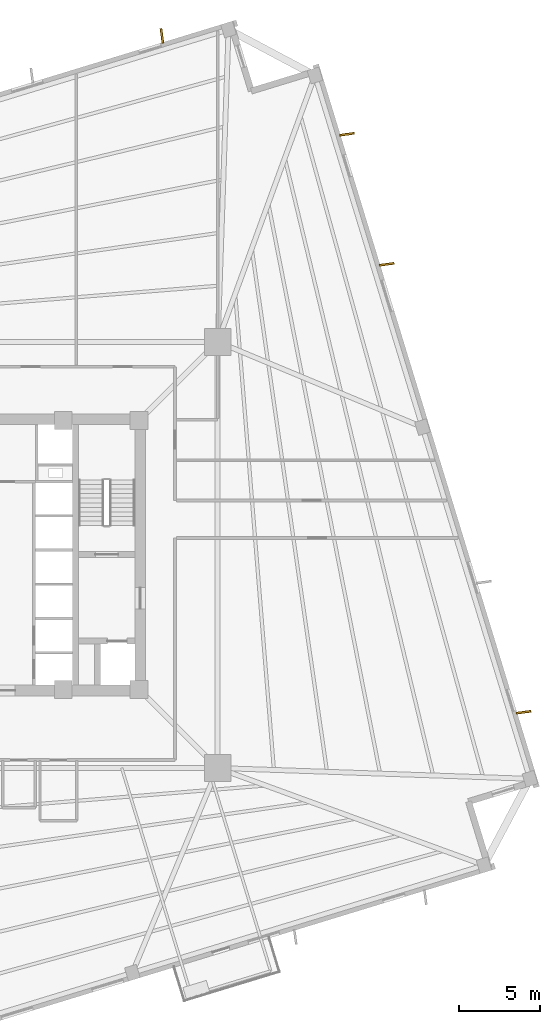
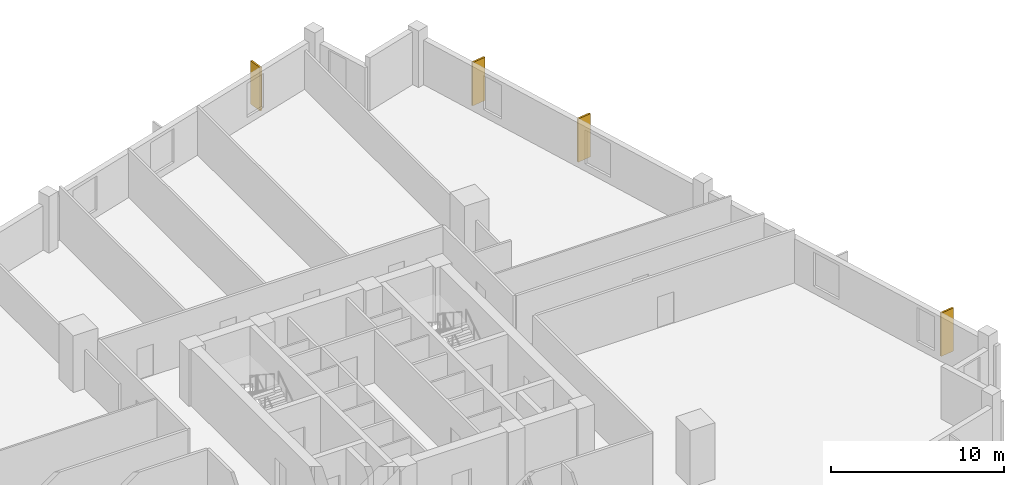
# One storey, part 8 of 8: 4 coverings.
"""IFC4 building model written with IfcOpenShell, lengths in metres."""

from ifc_helpers import new_model, si_unit, direction, frame, origin, origin_2d, place, context, subcontext, project, spatial, rectangle, extrude, source, transform, mapped, material, layer, layer_set, type_object, element, save


model = new_model("IFC4")

# Units and contexts
model_context = context("Model", 3, precision=1e-05, world=origin(), true_north=direction((0.0, 1.0)))
body_context = subcontext(model_context, "Body", "Model", "MODEL_VIEW")
ifc_project = project(units=[si_unit("LENGTHUNIT", "METRE"), si_unit("AREAUNIT", "SQUARE_METRE"), si_unit("VOLUMEUNIT", "CUBIC_METRE"), si_unit("PLANEANGLEUNIT", "RADIAN"), si_unit("MASSUNIT", "GRAM", prefix="KILO"), si_unit("THERMODYNAMICTEMPERATUREUNIT", "KELVIN")], contexts=[model_context])

# Site, building, storey
site_placement = place(None, origin())
site = spatial("IfcSite", under=ifc_project, at=site_placement, CompositionType="ELEMENT")
building_placement = place(site_placement, origin())
building = spatial("IfcBuilding", under=site, at=building_placement, Name="Kosmvard Interchange Tower", CompositionType="ELEMENT")
storey_placement = place(building_placement, frame((0.0, 0.0, 87.199951171875)))
storey = spatial("IfcBuildingStorey", under=building, at=storey_placement, Name="L20", CompositionType="ELEMENT", Elevation=87.199951171875)

# Coverings
ifc_material = material(Name="Architectural anodised aluminium", Category="aluminium")
ifc_layer = layer(ifc_material, 0.1201171875, Name="Architectural anodised aluminium")
ifc_layer_set = layer_set([ifc_layer], Name="Architectural anodised aluminium")
covering_type = type_object("IfcCoveringType", Name="Rotating Vertical Sun-Breaker Fin 900x120 Aluminium", PredefinedType="CLADDING", material=ifc_layer_set)
shared_shape = source(origin(), body_context, "Body", "SweptSolid", [
    extrude(rectangle(XDim=0.89990234375, YDim=0.1201171875, at=origin_2d()), origin(), (0.0, 0.0, 1.0), 3.06005859375),
])
for number, where, z_axis, x_axis, name in (
    (1, (31.865966796875, -9.6572265625, 0.0400390625), (0.0, 0.0, 1.0), (0.990842346368, 0.135023866942, 0.0), "L20 Rotating Vertical Sun-Breaker Fin 05"),
    (2, (23.45849609375, 17.841796875, 0.0400390625), (0.0, 0.0, 1.0), (0.990842346368, 0.135023866942, 0.0), "L20 Rotating Vertical Sun-Breaker Fin 07"),
    (3, (21.017822265625, 25.825439453125, 0.0400390625), (0.0, 0.0, 1.0), (0.990842346368, 0.135023866942, 0.0), "L20 Rotating Vertical Sun-Breaker Fin 08"),
    (4, (9.6572265625, 31.865966796875, 0.0400390625), (0.0, 0.0, 1.0), (-0.135023866942, 0.990842346368, 0.0), "L20 Rotating Vertical Sun-Breaker Fin 09"),
):
    element("IfcCovering", number, at=place(storey_placement, frame(where, z_axis=z_axis, x_axis=x_axis)), inside=storey, type_object=covering_type, Name=name, PredefinedType="CLADDING", context=body_context, shape_type="MappedRepresentation", body=[
        mapped(shared_shape, transform((0.0, 0.0, 0.0), scale=1.0)),
    ])

save(model, "model.ifc")
